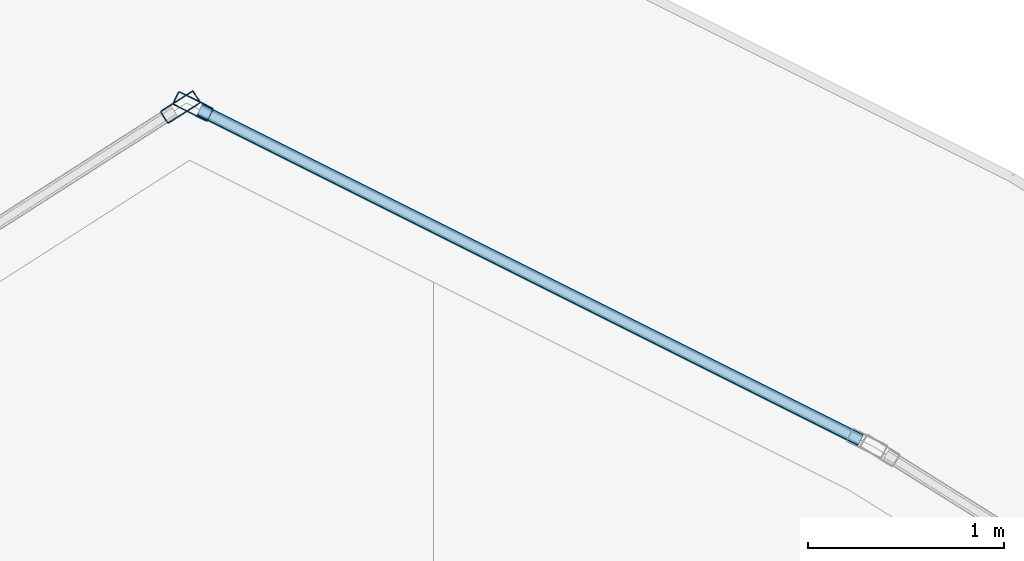
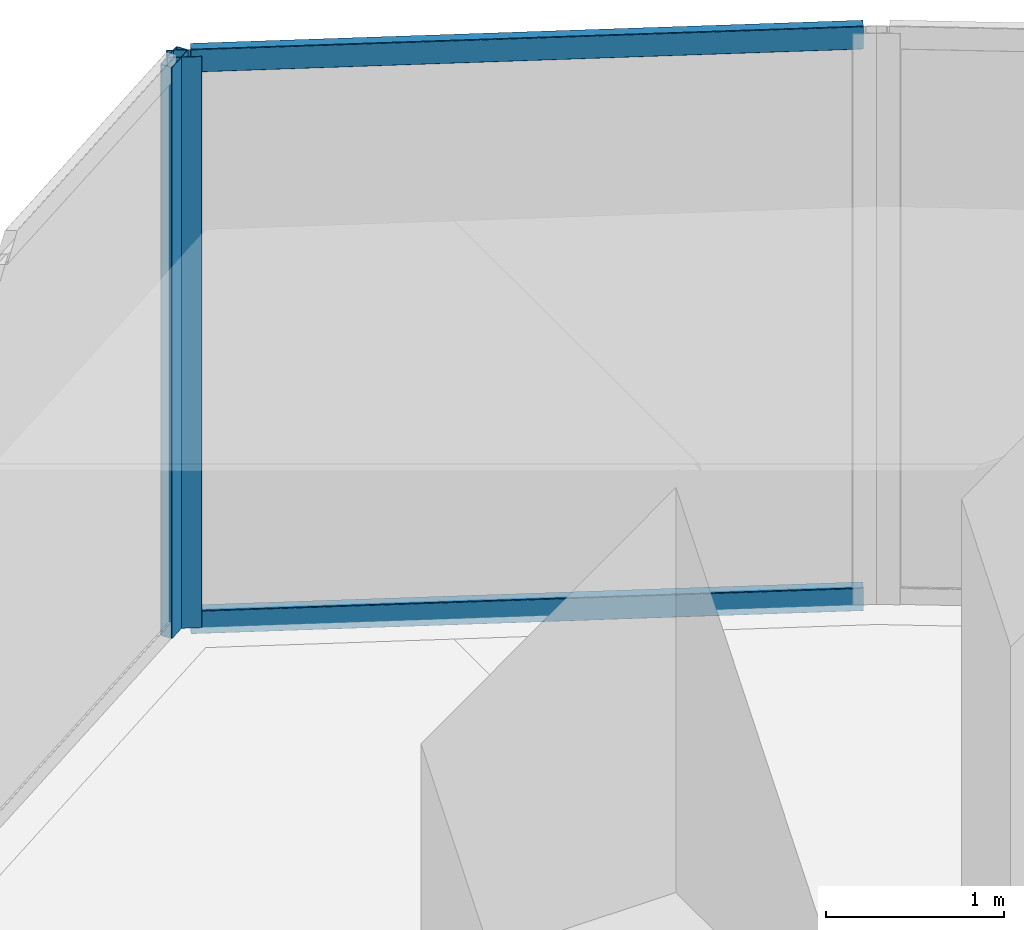
# One storey, part 20 of 31: 4 members, 2 elements without a shape of their own.
"""IFC4 building model written with IfcOpenShell, lengths in metres."""

from ifc_helpers import new_model, si_unit, direction, frame, origin, origin_2d, place, context, subcontext, project, spatial, hollow_rectangle, extrude, material, layer, layer_set, material_profile, profile_set, type_object, element, aggregate, save


model = new_model("IFC4")

# Units and contexts
model_context = context("Model", 3, precision=1e-05, world=origin(), true_north=direction((0.0, 1.0)))
body_context = subcontext(model_context, "Body", "Model", "MODEL_VIEW")
ifc_project = project(units=[si_unit("LENGTHUNIT", "METRE"), si_unit("AREAUNIT", "SQUARE_METRE"), si_unit("VOLUMEUNIT", "CUBIC_METRE"), si_unit("PLANEANGLEUNIT", "RADIAN"), si_unit("MASSUNIT", "GRAM", prefix="KILO")], contexts=[model_context])

# Site, building, storey
site_placement = place(None, origin())
site = spatial("IfcSite", under=ifc_project, at=site_placement, CompositionType="ELEMENT")
building_placement = place(site_placement, origin())
building = spatial("IfcBuilding", under=site, at=building_placement, Name="Qorvath Tower", CompositionType="ELEMENT")
storey_placement = place(building_placement, frame((0.0, 0.0, 264.0)))
storey = spatial("IfcBuildingStorey", under=building, at=storey_placement, Name="L61", CompositionType="ELEMENT", Elevation=264.0)

# Curtain wall, member
ifc_material_1 = material(Name="Anodised aluminium and triple low-E glass", Category="aluminium")
ifc_layer = layer(ifc_material_1, 0.179931640625)
ifc_layer_set = layer_set([ifc_layer], Name="CW-SYS-4")
curtain_wall_type = type_object("IfcCurtainWallType", Name="CW-SYS-4", PredefinedType="NOTDEFINED", material=ifc_layer_set)
curtain_wall_1_placement = place(storey_placement, origin())
curtain_wall_1 = element("IfcCurtainWall", 1, at=curtain_wall_1_placement, inside=storey, type_object=curtain_wall_type, Name="Curtain Wall CW-4 CW-T-L61-15.1", PredefinedType="NOTDEFINED")
ifc_material_2 = material(Name="Anodised aluminium 6063-T6", Category="aluminium")
ifc_material_profile_1 = material_profile(ifc_material_2, hollow_rectangle(XDim=0.074951171875, YDim=0.199951171875, WallThickness=0.00390625, InnerFilletRadius=0.00390625, OuterFilletRadius=0.008056640625, at=origin_2d()), Name="CWM 200x75")
ifc_profile_set_1 = profile_set([ifc_material_profile_1], Name="Anodised aluminium 6063-T6")
member_type_1 = type_object("IfcMemberType", Name="CWM-200", PredefinedType="MULLION", material=ifc_profile_set_1)
member_1_placement = place(storey_placement, frame((-17.76904296875, 24.575927734375, 0.0), z_axis=(0.0, 0.0, 1.0), x_axis=(-0.447193229071, -0.894437373924, 0.0)))
member_1 = element("IfcMember", 2, at=member_1_placement, type_object=member_type_1, Name="CW-4 mullion 2", PredefinedType="MULLION", context=body_context, shape_type="SweptSolid", body=[
    extrude(hollow_rectangle(XDim=0.074951171875, YDim=0.199951171875, WallThickness=0.00390625, InnerFilletRadius=0.00390625, OuterFilletRadius=0.008056640625, at=origin_2d()), origin(), (0.0, 0.0, 1.0), 3.909912109375),
])

curtain_wall_2_placement = place(storey_placement, origin())
curtain_wall_2 = element("IfcCurtainWall", 3, at=curtain_wall_2_placement, inside=storey, type_object=curtain_wall_type, Name="Curtain Wall CW-4 CW-T-L61-16.1", PredefinedType="NOTDEFINED")
member_2_placement = place(storey_placement, frame((-17.833984375, 24.572509765625, 0.0), z_axis=(0.0, 0.0, 1.0), x_axis=(0.538522903218, -0.842610872651, 0.0)))
member_2 = element("IfcMember", 4, at=member_2_placement, type_object=member_type_1, Name="CW-4 mullion 1", PredefinedType="MULLION", context=body_context, shape_type="SweptSolid", body=[
    extrude(hollow_rectangle(XDim=0.074951171875, YDim=0.199951171875, WallThickness=0.00390625, InnerFilletRadius=0.00390625, OuterFilletRadius=0.008056640625, at=origin_2d()), origin(), (0.0, 0.0, 1.0), 3.909912109375),
])
aggregate(curtain_wall_2, [member_2])

# Member
ifc_material_3 = material(Name="Anodised aluminium 6063-T6", Category="aluminium")
ifc_material_profile_2 = material_profile(ifc_material_3, hollow_rectangle(XDim=0.06494140625, YDim=0.159912109375, WallThickness=0.00341796875, InnerFilletRadius=0.00341796875, OuterFilletRadius=0.007080078125, at=origin_2d()), Name="CWT 160x65")
ifc_profile_set_2 = profile_set([ifc_material_profile_2], Name="Anodised aluminium 6063-T6")
member_type_2 = type_object("IfcMemberType", Name="CWT-160", PredefinedType="USERDEFINED", material=ifc_profile_set_2)
member_3_placement = place(storey_placement, frame((-14.356201171875, 22.86962890625, 0.032470703125), z_axis=(-0.894414266499, 0.447239443569, 0.0), x_axis=(-0.447239443569, -0.894414266499, 0.0)))
member_3 = element("IfcMember", 5, at=member_3_placement, type_object=member_type_2, Name="CW-4 transom 1.1", ObjectType="TRANSOM", PredefinedType="USERDEFINED", context=body_context, shape_type="SweptSolid", body=[
    extrude(hollow_rectangle(XDim=0.06494140625, YDim=0.159912109375, WallThickness=0.00341796875, InnerFilletRadius=0.00341796875, OuterFilletRadius=0.007080078125, at=origin_2d()), origin(), (0.0, 0.0, 1.0), 3.778076171875),
])

member_4_placement = place(storey_placement, frame((-14.356201171875, 22.86962890625, 3.87744140625), z_axis=(-0.894414266499, 0.447239443569, 0.0), x_axis=(-0.447239443569, -0.894414266499, 0.0)))
member_4 = element("IfcMember", 6, at=member_4_placement, type_object=member_type_2, Name="CW-4 transom 1.2", ObjectType="TRANSOM", PredefinedType="USERDEFINED", context=body_context, shape_type="SweptSolid", body=[
    extrude(hollow_rectangle(XDim=0.06494140625, YDim=0.159912109375, WallThickness=0.00341796875, InnerFilletRadius=0.00341796875, OuterFilletRadius=0.007080078125, at=origin_2d()), origin(), (0.0, 0.0, 1.0), 3.778076171875),
])

aggregate(curtain_wall_1, [member_1, member_3, member_4])

save(model, "model.ifc")
